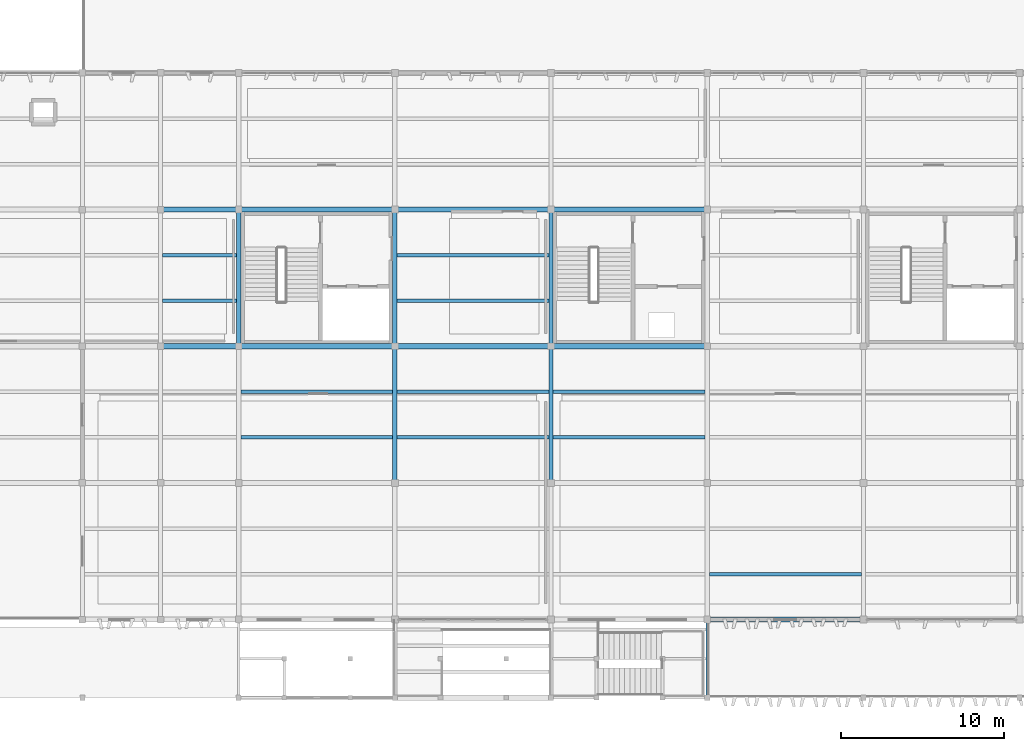
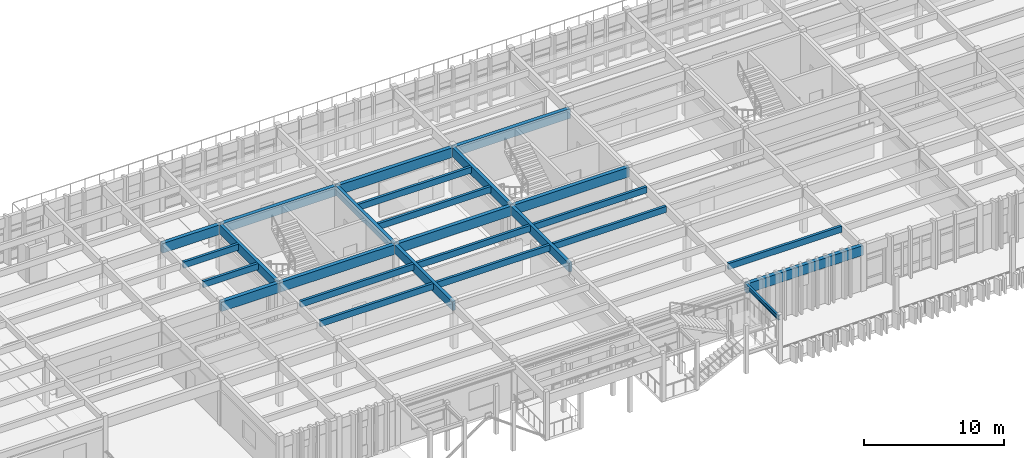
# One storey, part 14 of 61: 26 beams.
"""IFC4 building model written with IfcOpenShell, lengths in metres."""

from ifc_helpers import new_model, si_unit, direction, frame, origin, origin_2d, place, context, subcontext, project, spatial, rectangle, i_section, extrude, material, material_profile, profile_set, type_object, element, save


model = new_model("IFC4")

# Units and contexts
model_context = context("Model", 3, precision=1e-05, world=origin(), true_north=direction((0.0, 1.0)))
body_context = subcontext(model_context, "Body", "Model", "MODEL_VIEW")
ifc_project = project(units=[si_unit("LENGTHUNIT", "METRE"), si_unit("AREAUNIT", "SQUARE_METRE"), si_unit("VOLUMEUNIT", "CUBIC_METRE"), si_unit("PLANEANGLEUNIT", "RADIAN"), si_unit("MASSUNIT", "GRAM", prefix="KILO")], contexts=[model_context])

# Site, building, storey
site_placement = place(None, origin())
site = spatial("IfcSite", under=ifc_project, at=site_placement, CompositionType="ELEMENT")
building_placement = place(site_placement, origin())
building = spatial("IfcBuilding", under=site, at=building_placement, Name="Kolvemor Railside Polytechnic", CompositionType="ELEMENT")
storey_placement = place(building_placement, frame((0.0, 0.0, 10.199951171875)))
storey = spatial("IfcBuildingStorey", under=building, at=storey_placement, Name="L02", CompositionType="ELEMENT", Elevation=10.199951171875)

# Beams
ifc_material_1 = material(Name="Glulam GL28h", Category="wood")
ifc_material_profile_1 = material_profile(ifc_material_1, rectangle(XDim=0.264892578125, YDim=0.760009765625, at=origin_2d()), Name="GL265x760")
ifc_profile_set_1 = profile_set([ifc_material_profile_1], Name="Glulam GL28h")
beam_type_1 = type_object("IfcBeamType", Name="BM-GL-GIRD1", PredefinedType="BEAM", material=ifc_profile_set_1)
beam_1_placement = place(storey_placement, frame((67.199951171875, 21.60009765625, 3.570068359375), z_axis=(0.0, 1.0, 0.0), x_axis=(-1.0, 0.0, 0.0)))
element("IfcBeam", 1, at=beam_1_placement, inside=storey, type_object=beam_type_1, Name="Primary Girder L03-GY 1271", PredefinedType="BEAM", context=body_context, shape_type="SweptSolid", body=[
    extrude(rectangle(XDim=0.264892578125, YDim=0.760009765625, at=origin_2d()), origin(), (0.0, 0.0, 1.0), 8.39990234375),
])
beam_2_placement = place(storey_placement, frame((76.800048828125, 13.199951171875, 3.570068359375), z_axis=(0.0, 1.0, 0.0), x_axis=(-1.0, 0.0, 0.0)))
element("IfcBeam", 2, at=beam_2_placement, inside=storey, type_object=beam_type_1, Name="Primary Girder L03-GY 1274", PredefinedType="BEAM", context=body_context, shape_type="SweptSolid", body=[
    extrude(rectangle(XDim=0.264892578125, YDim=0.760009765625, at=origin_2d()), origin(), (0.0, 0.0, 1.0), 8.400146484375),
])
beam_3_placement = place(storey_placement, frame((76.800048828125, 21.60009765625, 3.570068359375), z_axis=(0.0, 1.0, 0.0), x_axis=(-1.0, 0.0, 0.0)))
element("IfcBeam", 3, at=beam_3_placement, inside=storey, type_object=beam_type_1, Name="Primary Girder L03-GY 1275", PredefinedType="BEAM", context=body_context, shape_type="SweptSolid", body=[
    extrude(rectangle(XDim=0.264892578125, YDim=0.760009765625, at=origin_2d()), origin(), (0.0, 0.0, 1.0), 8.39990234375),
])
beam_4_placement = place(storey_placement, frame((86.39990234375, 13.199951171875, 3.570068359375), z_axis=(0.0, 1.0, 0.0), x_axis=(-1.0, 0.0, 0.0)))
element("IfcBeam", 4, at=beam_4_placement, inside=storey, type_object=beam_type_1, Name="Primary Girder L03-GY 1278", PredefinedType="BEAM", context=body_context, shape_type="SweptSolid", body=[
    extrude(rectangle(XDim=0.264892578125, YDim=0.760009765625, at=origin_2d()), origin(), (0.0, 0.0, 1.0), 8.400146484375),
])
beam_5_placement = place(storey_placement, frame((86.39990234375, 21.60009765625, 3.570068359375), z_axis=(0.0, 1.0, 0.0), x_axis=(-1.0, 0.0, 0.0)))
element("IfcBeam", 5, at=beam_5_placement, inside=storey, type_object=beam_type_1, Name="Primary Girder L03-GY 1279", PredefinedType="BEAM", context=body_context, shape_type="SweptSolid", body=[
    extrude(rectangle(XDim=0.264892578125, YDim=0.760009765625, at=origin_2d()), origin(), (0.0, 0.0, 1.0), 8.39990234375),
])
ifc_material_2 = material(Name="Glulam GL28h", Category="wood")
ifc_material_profile_2 = material_profile(ifc_material_2, rectangle(XDim=0.31494140625, YDim=0.840087890625, at=origin_2d()), Name="GL315x840")
ifc_profile_set_2 = profile_set([ifc_material_profile_2], Name="Glulam GL28h")
beam_type_2 = type_object("IfcBeamType", Name="BM-GL-GIRD3", PredefinedType="BEAM", material=ifc_profile_set_2)
beam_6_placement = place(storey_placement, frame((96.0, 4.800048828125, 3.530029296875), z_axis=(1.0, 0.0, 0.0), x_axis=(0.0, 1.0, 0.0)))
element("IfcBeam", 6, at=beam_6_placement, inside=storey, type_object=beam_type_2, Name="Primary Girder L03-GX 1221", PredefinedType="BEAM", context=body_context, shape_type="SweptSolid", body=[
    extrude(rectangle(XDim=0.31494140625, YDim=0.840087890625, at=origin_2d()), origin(), (0.0, 0.0, 1.0), 9.60009765625),
])
beam_7_placement = place(storey_placement, frame((62.39990234375, 21.60009765625, 3.530029296875), z_axis=(1.0, 0.0, 0.0), x_axis=(0.0, 1.0, 0.0)))
element("IfcBeam", 7, at=beam_7_placement, inside=storey, type_object=beam_type_2, Name="Primary Girder L03-GX 1235", PredefinedType="BEAM", context=body_context, shape_type="SweptSolid", body=[
    extrude(rectangle(XDim=0.31494140625, YDim=0.840087890625, at=origin_2d()), origin(), (0.0, 0.0, 1.0), 4.800048828125),
])
beam_8_placement = place(storey_placement, frame((67.199951171875, 21.60009765625, 3.530029296875), z_axis=(1.0, 0.0, 0.0), x_axis=(0.0, 1.0, 0.0)))
element("IfcBeam", 8, at=beam_8_placement, inside=storey, type_object=beam_type_2, Name="Primary Girder L03-GX 1236", PredefinedType="BEAM", context=body_context, shape_type="SweptSolid", body=[
    extrude(rectangle(XDim=0.31494140625, YDim=0.840087890625, at=origin_2d()), origin(), (0.0, 0.0, 1.0), 9.60009765625),
])
beam_9_placement = place(storey_placement, frame((76.800048828125, 21.60009765625, 3.530029296875), z_axis=(1.0, 0.0, 0.0), x_axis=(0.0, 1.0, 0.0)))
element("IfcBeam", 9, at=beam_9_placement, inside=storey, type_object=beam_type_2, Name="Primary Girder L03-GX 1237", PredefinedType="BEAM", context=body_context, shape_type="SweptSolid", body=[
    extrude(rectangle(XDim=0.31494140625, YDim=0.840087890625, at=origin_2d()), origin(), (0.0, 0.0, 1.0), 9.599853515625),
])
beam_10_placement = place(storey_placement, frame((86.39990234375, 21.60009765625, 3.530029296875), z_axis=(1.0, 0.0, 0.0), x_axis=(0.0, 1.0, 0.0)))
element("IfcBeam", 10, at=beam_10_placement, inside=storey, type_object=beam_type_2, Name="Primary Girder L03-GX 1238", PredefinedType="BEAM", context=body_context, shape_type="SweptSolid", body=[
    extrude(rectangle(XDim=0.31494140625, YDim=0.840087890625, at=origin_2d()), origin(), (0.0, 0.0, 1.0), 9.60009765625),
])
beam_11_placement = place(storey_placement, frame((62.39990234375, 30.0, 3.530029296875), z_axis=(1.0, 0.0, 0.0), x_axis=(0.0, 1.0, 0.0)))
element("IfcBeam", 11, at=beam_11_placement, inside=storey, type_object=beam_type_2, Name="Primary Girder L03-GX 1244", PredefinedType="BEAM", context=body_context, shape_type="SweptSolid", body=[
    extrude(rectangle(XDim=0.31494140625, YDim=0.840087890625, at=origin_2d()), origin(), (0.0, 0.0, 1.0), 4.800048828125),
])
beam_12_placement = place(storey_placement, frame((67.199951171875, 30.0, 3.530029296875), z_axis=(1.0, 0.0, 0.0), x_axis=(0.0, 1.0, 0.0)))
element("IfcBeam", 12, at=beam_12_placement, inside=storey, type_object=beam_type_2, Name="Primary Girder L03-GX 1245", PredefinedType="BEAM", context=body_context, shape_type="SweptSolid", body=[
    extrude(rectangle(XDim=0.31494140625, YDim=0.840087890625, at=origin_2d()), origin(), (0.0, 0.0, 1.0), 9.60009765625),
])
beam_13_placement = place(storey_placement, frame((76.800048828125, 30.0, 3.530029296875), z_axis=(1.0, 0.0, 0.0), x_axis=(0.0, 1.0, 0.0)))
element("IfcBeam", 13, at=beam_13_placement, inside=storey, type_object=beam_type_2, Name="Primary Girder L03-GX 1246", PredefinedType="BEAM", context=body_context, shape_type="SweptSolid", body=[
    extrude(rectangle(XDim=0.31494140625, YDim=0.840087890625, at=origin_2d()), origin(), (0.0, 0.0, 1.0), 9.599853515625),
])
beam_14_placement = place(storey_placement, frame((86.39990234375, 30.0, 3.530029296875), z_axis=(1.0, 0.0, 0.0), x_axis=(0.0, 1.0, 0.0)))
element("IfcBeam", 14, at=beam_14_placement, inside=storey, type_object=beam_type_2, Name="Primary Girder L03-GX 1247", PredefinedType="BEAM", context=body_context, shape_type="SweptSolid", body=[
    extrude(rectangle(XDim=0.31494140625, YDim=0.840087890625, at=origin_2d()), origin(), (0.0, 0.0, 1.0), 9.60009765625),
])
ifc_material_3 = material(Name="Glulam GL28h", Category="wood")
ifc_material_profile_3 = material_profile(ifc_material_3, rectangle(XDim=0.215087890625, YDim=0.5400390625, at=origin_2d()), Name="GL215x540")
ifc_profile_set_3 = profile_set([ifc_material_profile_3], Name="Glulam GL28h")
beam_type_3 = type_object("IfcBeamType", Name="BM-GL-JST1", PredefinedType="JOIST", material=ifc_profile_set_3)
for number, where, z_axis, x_axis, name in (
    (15, (62.532958984375, 24.39990234375, 3.679931640625), (1.0, 0.0, 0.0), (0.0, 1.0, 0.0), "Floor Joist L03-J1313"),
    (16, (62.532958984375, 27.199951171875, 3.679931640625), (1.0, 0.0, 0.0), (0.0, 1.0, 0.0), "Floor Joist L03-J1314"),
):
    element("IfcBeam", number, at=place(storey_placement, frame(where, z_axis=z_axis, x_axis=x_axis)), inside=storey, type_object=beam_type_3, Name=name, PredefinedType="JOIST", context=body_context, shape_type="SweptSolid", body=[
        extrude(rectangle(XDim=0.215087890625, YDim=0.5400390625, at=origin_2d()), origin(), (0.0, 0.0, 1.0), 4.533935546875),
    ])
for number, where, z_axis, x_axis, name in (
    (17, (67.3330078125, 16.0, 3.679931640625), (1.0, 0.0, 0.0), (0.0, 1.0, 0.0), "Floor Joist L03-J1319"),
    (18, (67.3330078125, 18.800048828125, 3.679931640625), (1.0, 0.0, 0.0), (0.0, 1.0, 0.0), "Floor Joist L03-J1320"),
    (19, (76.93310546875, 16.0, 3.679931640625), (1.0, 0.0, 0.0), (0.0, 1.0, 0.0), "Floor Joist L03-J1325"),
    (20, (76.93310546875, 18.800048828125, 3.679931640625), (1.0, 0.0, 0.0), (0.0, 1.0, 0.0), "Floor Joist L03-J1326"),
    (21, (76.93310546875, 24.39990234375, 3.679931640625), (1.0, 0.0, 0.0), (0.0, 1.0, 0.0), "Floor Joist L03-J1327"),
    (22, (76.93310546875, 27.199951171875, 3.679931640625), (1.0, 0.0, 0.0), (0.0, 1.0, 0.0), "Floor Joist L03-J1328"),
    (23, (86.532958984375, 16.0, 3.679931640625), (1.0, 0.0, 0.0), (0.0, 1.0, 0.0), "Floor Joist L03-J1333"),
    (24, (86.532958984375, 18.800048828125, 3.679931640625), (1.0, 0.0, 0.0), (0.0, 1.0, 0.0), "Floor Joist L03-J1334"),
    (25, (96.133056640625, 7.60009765625, 3.679931640625), (1.0, 0.0, 0.0), (0.0, 1.0, 0.0), "Floor Joist L03-J1337"),
):
    element("IfcBeam", number, at=place(storey_placement, frame(where, z_axis=z_axis, x_axis=x_axis)), inside=storey, type_object=beam_type_3, Name=name, PredefinedType="JOIST", context=body_context, shape_type="SweptSolid", body=[
        extrude(rectangle(XDim=0.215087890625, YDim=0.5400390625, at=origin_2d()), origin(), (0.0, 0.0, 1.0), 9.333984375),
    ])
ifc_material_4 = material(Name="Steel S355", Category="steel")
ifc_material_profile_4 = material_profile(ifc_material_4, i_section(OverallWidth=0.172119140625, OverallDepth=0.35791015625, WebThickness=0.0078125, FlangeThickness=0.01318359375, FilletRadius=0.010986328125, at=origin_2d()), Name="W360x57")
ifc_profile_set_4 = profile_set([ifc_material_profile_4], Name="Steel S355")
beam_type_4 = type_object("IfcBeamType", Name="BM-ST-COLL", PredefinedType="BEAM", material=ifc_profile_set_4)
beam_15_placement = place(storey_placement, frame((96.0, 0.0, 3.801025390625), z_axis=(0.0, 1.0, 0.0), x_axis=(-1.0, 0.0, 0.0)))
element("IfcBeam", 26, at=beam_15_placement, inside=storey, type_object=beam_type_4, Name="Zigzag Rear Cross Beam L03 2063", PredefinedType="BEAM", context=body_context, shape_type="SweptSolid", body=[
    extrude(i_section(OverallWidth=0.172119140625, OverallDepth=0.35791015625, WebThickness=0.0078125, FlangeThickness=0.01318359375, FilletRadius=0.010986328125, at=origin_2d()), origin(), (0.0, 0.0, 1.0), 4.800048828125),
])

save(model, "model.ifc")
